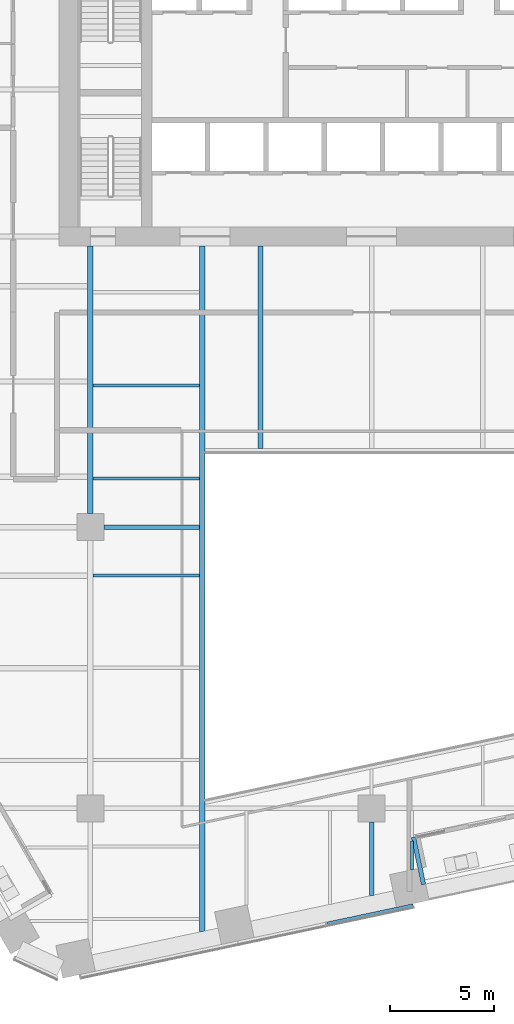
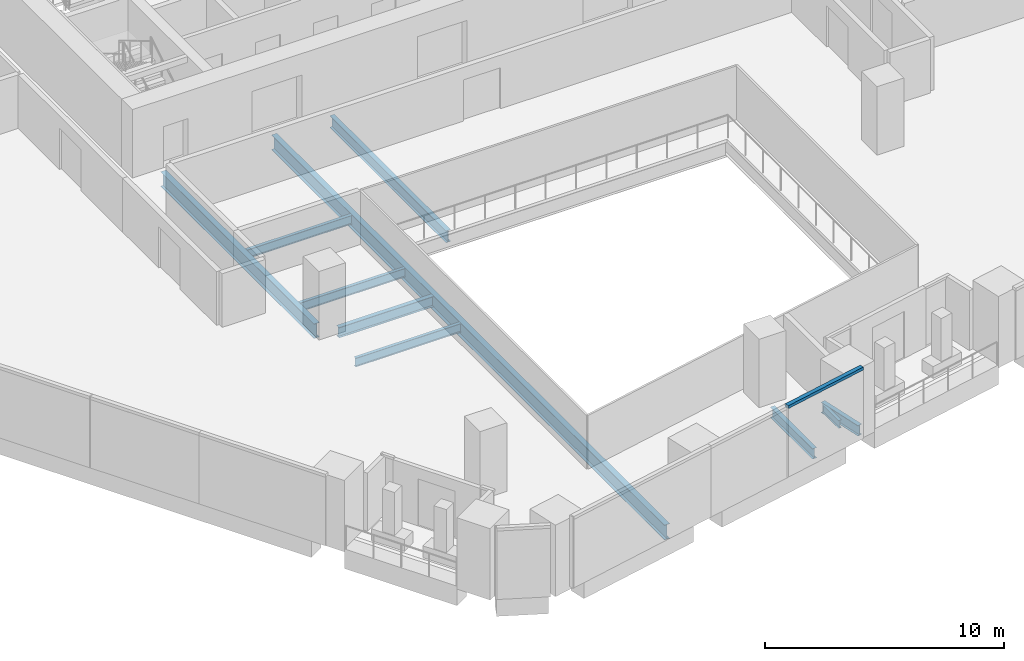
# One storey, part 5 of 28: 10 beams, 1 member, 1 element without a shape of its own.
"""IFC4 building model written with IfcOpenShell, lengths in metres."""

from ifc_helpers import new_model, si_unit, direction, frame, origin, origin_2d, place, context, subcontext, project, spatial, rectangle, i_section, extrude, material, layer, layer_set, material_profile, profile_set, type_object, element, aggregate, save


model = new_model("IFC4")

# Units and contexts
model_context = context("Model", 3, precision=1e-05, world=origin(), true_north=direction((0.0, 1.0)))
body_context = subcontext(model_context, "Body", "Model", "MODEL_VIEW")
ifc_project = project(units=[si_unit("LENGTHUNIT", "METRE"), si_unit("AREAUNIT", "SQUARE_METRE"), si_unit("VOLUMEUNIT", "CUBIC_METRE"), si_unit("PLANEANGLEUNIT", "RADIAN"), si_unit("MASSUNIT", "GRAM", prefix="KILO")], contexts=[model_context])

# Site, building, storey
site_placement = place(None, origin())
site = spatial("IfcSite", under=ifc_project, at=site_placement, CompositionType="ELEMENT")
building_placement = place(site_placement, origin())
building = spatial("IfcBuilding", under=site, at=building_placement, Name="Isthmus Gate Tower", CompositionType="ELEMENT")
storey_placement = place(building_placement, frame((0.0, 0.0, 98.89990234375)))
storey = spatial("IfcBuildingStorey", under=building, at=storey_placement, Name="L23", CompositionType="ELEMENT", Elevation=98.89990234375)

# Curtain wall, member
ifc_material_1 = material(Name="Aluminium, pale champagne anodised", Category="aluminium")
ifc_layer = layer(ifc_material_1, 0.199951171875)
ifc_layer_set = layer_set([ifc_layer], Name="CW-1 UNITISED CURTAIN WALL 200 DEEP")
curtain_wall_type = type_object("IfcCurtainWallType", Name="CW-1 UNITISED CURTAIN WALL 200 DEEP", PredefinedType="NOTDEFINED", material=ifc_layer_set)
curtain_wall_placement = place(storey_placement, origin())
curtain_wall = element("IfcCurtainWall", 1, at=curtain_wall_placement, inside=storey, type_object=curtain_wall_type, Name="CW-1 S L23", PredefinedType="NOTDEFINED")
ifc_material_2 = material(Name="Aluminium, pale champagne anodised", Category="aluminium")
ifc_material_profile_1 = material_profile(ifc_material_2, rectangle(XDim=0.199951171875, YDim=0.14990234375, at=origin_2d()), Name="200x150")
ifc_profile_set_1 = profile_set([ifc_material_profile_1], Name="Aluminium, pale champagne anodised")
member_type = type_object("IfcMemberType", Name="CW-1 TRANSOM 200 X 150", PredefinedType="USERDEFINED", material=ifc_profile_set_1)
member_placement = place(storey_placement, frame((-2.1435546875, -32.557861328125, 3.5751953125), z_axis=(0.978150351608, 0.20789874855, 0.0), x_axis=(-0.20789874855, 0.978150351608, 0.0)))
member = element("IfcMember", 2, at=member_placement, type_object=member_type, Name="CW-1 transom", ObjectType="TRANSOM", PredefinedType="USERDEFINED", context=body_context, shape_type="SweptSolid", body=[
    extrude(rectangle(XDim=0.199951171875, YDim=0.14990234375, at=origin_2d()), origin(), (0.0, 0.0, 1.0), 4.234619140625),
])
aggregate(curtain_wall, [member])

# Beams
ifc_material_3 = material(Name="Structural steel ASTM A992 Gr 50", Category="steel")
ifc_material_profile_2 = material_profile(ifc_material_3, i_section(OverallWidth=0.1396484375, OverallDepth=0.4033203125, WebThickness=0.00634765625, FlangeThickness=0.010986328125, at=origin_2d()), Name="W16X31")
ifc_profile_set_2 = profile_set([ifc_material_profile_2], Name="Structural steel ASTM A992 Gr 50")
beam_type_1 = type_object("IfcBeamType", Name="STEEL FLOOR BEAM W16X31", PredefinedType="JOIST", material=ifc_profile_set_2)
beam_1_placement = place(storey_placement, frame((1.942626953125, -29.951416015625, -0.3515625), z_axis=(0.0, 1.0, 0.0), x_axis=(-1.0, 0.0, 0.0)))
element("IfcBeam", 3, at=beam_1_placement, inside=storey, type_object=beam_type_1, Name="str-beam-L23-20-00", PredefinedType="JOIST", context=body_context, shape_type="SweptSolid", body=[
    extrude(i_section(OverallWidth=0.1396484375, OverallDepth=0.4033203125, WebThickness=0.00634765625, FlangeThickness=0.010986328125, at=origin_2d()), origin(), (0.0, 0.0, 1.0), 1.37646484375),
])
ifc_material_4 = material(Name="Structural steel ASTM A992 Gr 50", Category="steel")
ifc_material_profile_3 = material_profile(ifc_material_4, i_section(OverallWidth=0.15234375, OverallDepth=0.45068359375, WebThickness=0.0078125, FlangeThickness=0.010986328125, at=origin_2d()), Name="W18X35")
ifc_profile_set_3 = profile_set([ifc_material_profile_3], Name="Structural steel ASTM A992 Gr 50")
beam_type_2 = type_object("IfcBeamType", Name="STEEL FLOOR BEAM W18X35", PredefinedType="JOIST", material=ifc_profile_set_3)
for number, where, z_axis, x_axis, name in (
    (4, (-13.3681640625, -11.16259765625, -0.375244140625), (1.0, 0.0, 0.0), (0.0, 1.0, 0.0), "str-beam-L23-14-00"),
    (5, (-13.3681640625, -6.697509765625, -0.375244140625), (1.0, 0.0, 0.0), (0.0, 1.0, 0.0), "str-beam-L23-14-01"),
    (6, (-13.3681640625, -15.81982421875, -0.375244140625), (1.0, 0.0, 0.0), (0.0, 1.0, 0.0), "str-beam-L23-15-02"),
):
    element("IfcBeam", number, at=place(storey_placement, frame(where, z_axis=z_axis, x_axis=x_axis)), inside=storey, type_object=beam_type_2, Name=name, PredefinedType="JOIST", context=body_context, shape_type="SweptSolid", body=[
        extrude(i_section(OverallWidth=0.15234375, OverallDepth=0.45068359375, WebThickness=0.0078125, FlangeThickness=0.010986328125, at=origin_2d()), origin(), (0.0, 0.0, 1.0), 5.1015625),
    ])
ifc_material_5 = material(Name="Structural steel ASTM A992 Gr 50", Category="steel")
ifc_material_profile_4 = material_profile(ifc_material_5, i_section(OverallWidth=0.228515625, OverallDepth=0.603271484375, WebThickness=0.010986328125, FlangeThickness=0.014404296875, at=origin_2d()), Name="W24X68")
ifc_profile_set_4 = profile_set([ifc_material_profile_4], Name="Structural steel ASTM A992 Gr 50")
beam_type_3 = type_object("IfcBeamType", Name="STEEL FLOOR BEAM W24X68", PredefinedType="JOIST", material=ifc_profile_set_4)
beam_2_placement = place(storey_placement, frame((-5.333251953125, -9.7333984375, -0.451416015625), z_axis=(0.0, 1.0, 0.0), x_axis=(-1.0, 0.0, 0.0)))
element("IfcBeam", 7, at=beam_2_placement, inside=storey, type_object=beam_type_3, Name="str-beam-L23-19-00", PredefinedType="JOIST", context=body_context, shape_type="SweptSolid", body=[
    extrude(i_section(OverallWidth=0.228515625, OverallDepth=0.603271484375, WebThickness=0.010986328125, FlangeThickness=0.014404296875, at=origin_2d()), origin(), (0.0, 0.0, 1.0), 9.7333984375),
])
ifc_material_6 = material(Name="Structural steel ASTM A992 Gr 50", Category="steel")
ifc_material_profile_5 = material_profile(ifc_material_6, i_section(OverallWidth=0.20947265625, OverallDepth=0.533447265625, WebThickness=0.009521484375, FlangeThickness=0.015869140625, at=origin_2d()), Name="W21X62")
ifc_profile_set_5 = profile_set([ifc_material_profile_5], Name="Structural steel ASTM A992 Gr 50")
beam_type_4 = type_object("IfcBeamType", Name="STEEL GIRDER W21X62", PredefinedType="BEAM", material=ifc_profile_set_5)
beam_3_placement = place(storey_placement, frame((-12.85009765625, -13.5, -0.41650390625), z_axis=(1.0, 0.0, 0.0), x_axis=(0.0, 1.0, 0.0)))
element("IfcBeam", 8, at=beam_3_placement, inside=storey, type_object=beam_type_4, Name="str-girder-L23-06", PredefinedType="BEAM", context=body_context, shape_type="SweptSolid", body=[
    extrude(i_section(OverallWidth=0.20947265625, OverallDepth=0.533447265625, WebThickness=0.009521484375, FlangeThickness=0.015869140625, at=origin_2d()), origin(), (0.0, 0.0, 1.0), 4.58349609375),
])
beam_4_placement = place(storey_placement, frame((0.0, -31.18212890625, -0.41650390625), z_axis=(0.0, 1.0, 0.0), x_axis=(-1.0, 0.0, 0.0)))
element("IfcBeam", 9, at=beam_4_placement, inside=storey, type_object=beam_type_4, Name="str-girder-L23-29", PredefinedType="BEAM", context=body_context, shape_type="SweptSolid", body=[
    extrude(i_section(OverallWidth=0.20947265625, OverallDepth=0.533447265625, WebThickness=0.009521484375, FlangeThickness=0.015869140625, at=origin_2d()), origin(), (0.0, 0.0, 1.0), 3.5322265625),
])
ifc_material_7 = material(Name="Structural steel ASTM A992 Gr 50", Category="steel")
ifc_material_profile_6 = material_profile(ifc_material_7, i_section(OverallWidth=0.263427734375, OverallDepth=0.749267578125, WebThickness=0.0126953125, FlangeThickness=0.015869140625, at=origin_2d()), Name="W30X90")
ifc_profile_set_6 = profile_set([ifc_material_profile_6], Name="Structural steel ASTM A992 Gr 50")
beam_type_5 = type_object("IfcBeamType", Name="STEEL GIRDER W30X90", PredefinedType="BEAM", material=ifc_profile_set_6)
beam_5_placement = place(storey_placement, frame((-13.5, -12.85009765625, -0.524658203125), z_axis=(0.0, 1.0, 0.0), x_axis=(-1.0, 0.0, 0.0)))
element("IfcBeam", 10, at=beam_5_placement, inside=storey, type_object=beam_type_5, Name="str-girder-L23-26", PredefinedType="BEAM", context=body_context, shape_type="SweptSolid", body=[
    extrude(i_section(OverallWidth=0.263427734375, OverallDepth=0.749267578125, WebThickness=0.0126953125, FlangeThickness=0.015869140625, at=origin_2d()), origin(), (0.0, 0.0, 1.0), 12.85009765625),
])
ifc_material_8 = material(Name="Structural steel ASTM A992 Gr 50", Category="steel")
ifc_material_profile_7 = material_profile(ifc_material_8, i_section(OverallWidth=0.20947265625, OverallDepth=0.533447265625, WebThickness=0.009521484375, FlangeThickness=0.015869140625, at=origin_2d()), Name="W21X62")
ifc_profile_set_7 = profile_set([ifc_material_profile_7], Name="Structural steel ASTM A992 Gr 50")
beam_type_6 = type_object("IfcBeamType", Name="STEEL TRIMMER W21X62", PredefinedType="BEAM", material=ifc_profile_set_7)
beam_6_placement = place(storey_placement, frame((2.491455078125, -30.652587890625, -0.41650390625), z_axis=(-0.207929410801, 0.978143834067, 0.0), x_axis=(-0.978143834067, -0.207929410801, 0.0)))
element("IfcBeam", 11, at=beam_6_placement, inside=storey, type_object=beam_type_6, Name="str-loggiatrim-L23-04-A", PredefinedType="BEAM", context=body_context, shape_type="SweptSolid", body=[
    extrude(i_section(OverallWidth=0.20947265625, OverallDepth=0.533447265625, WebThickness=0.009521484375, FlangeThickness=0.015869140625, at=origin_2d()), origin(), (0.0, 0.0, 1.0), 2.314208984375),
])
ifc_material_9 = material(Name="Structural steel ASTM A992 Gr 50", Category="steel")
ifc_material_profile_8 = material_profile(ifc_material_9, i_section(OverallWidth=0.2666015625, OverallDepth=0.7587890625, WebThickness=0.014404296875, FlangeThickness=0.01904296875, at=origin_2d()), Name="W30X108")
ifc_profile_set_8 = profile_set([ifc_material_profile_8], Name="Structural steel ASTM A992 Gr 50")
beam_type_7 = type_object("IfcBeamType", Name="STEEL TRIMMER W30X108", PredefinedType="BEAM", material=ifc_profile_set_8)
beam_7_placement = place(storey_placement, frame((-8.13330078125, 0.0, -0.529296875), z_axis=(0.0, -1.0, 0.0), x_axis=(1.0, 0.0, 0.0)))
element("IfcBeam", 12, at=beam_7_placement, inside=storey, type_object=beam_type_7, Name="str-trimmer-L23-02", PredefinedType="BEAM", context=body_context, shape_type="SweptSolid", body=[
    extrude(i_section(OverallWidth=0.2666015625, OverallDepth=0.7587890625, WebThickness=0.014404296875, FlangeThickness=0.01904296875, at=origin_2d()), origin(), (0.0, 0.0, 1.0), 32.910888671875),
])

save(model, "model.ifc")
